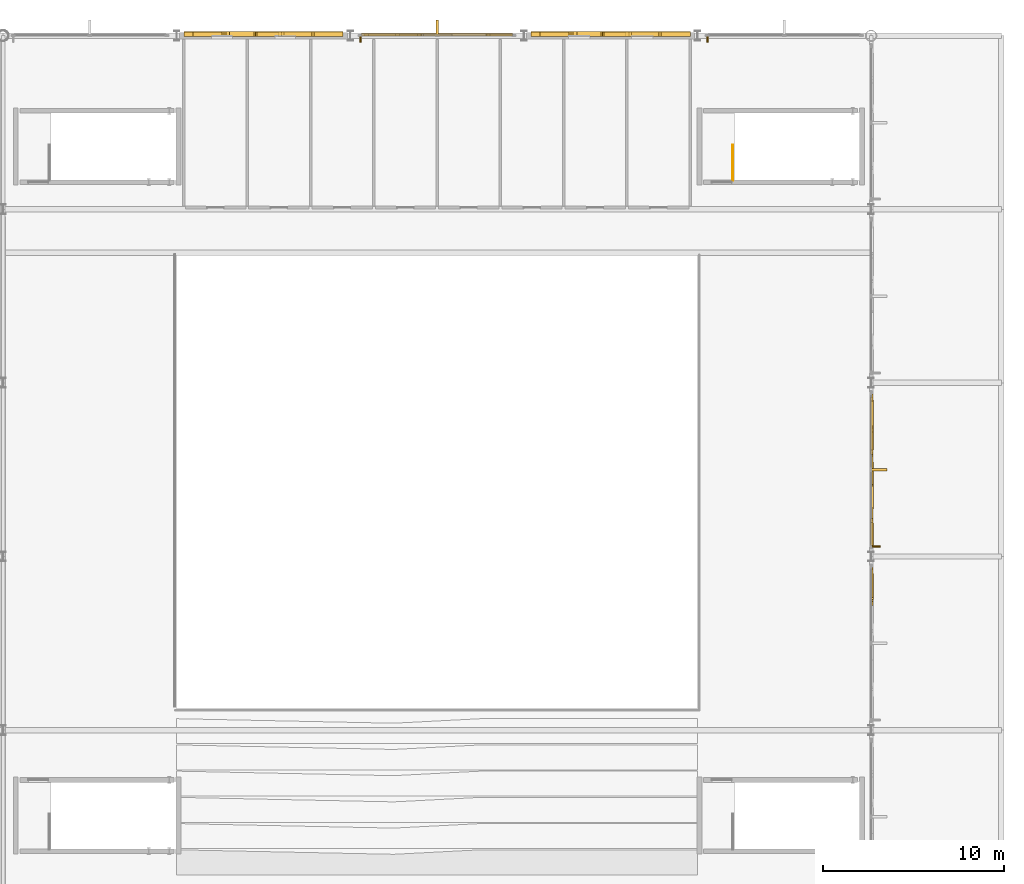
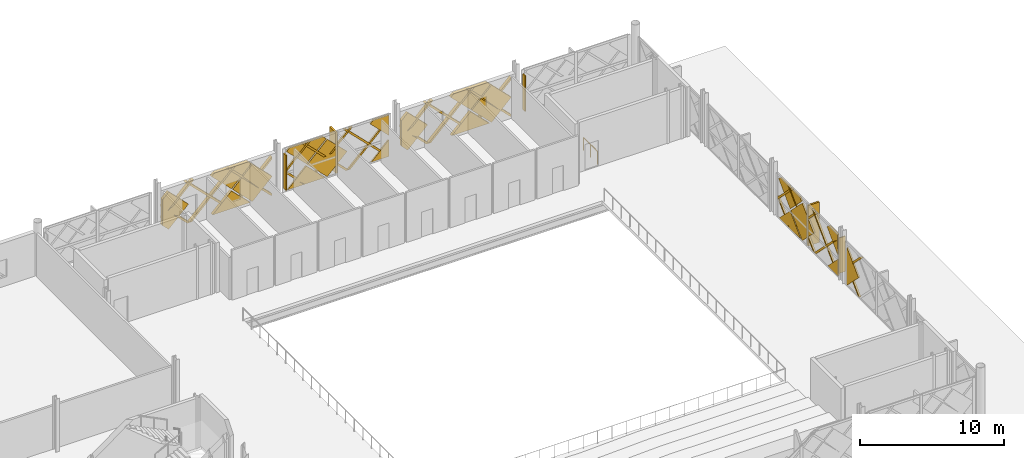
# One storey, part 100 of 101: 47 coverings, 3 shading devices, 1 railing.
"""IFC4 building model written with IfcOpenShell, lengths in metres."""

import ifcopenshell
import ifcopenshell.guid

model = None  # the IFC model being written
_history = None  # IfcOwnerHistory: only IFC2X3 demands one
_inside = {}  # id of a spatial element -> (the spatial element, [elements in it])
_under = {}  # id of a project, library or spatial element -> (it, [spatial elements below it])
_declared = {}  # id of a project -> (the project, [libraries it declares])
_typed = {}  # id of a type object -> (the type object, [elements of that type])
_made_of = {}  # id of a material, layer set ... -> (it, [elements and type objects made of it])


def new_model(schema):
    """Start an empty IFC model of exactly this schema.

    Asked for "IFC4X3", IfcOpenShell would pick the latest addendum, in which some entities
    have other attributes; the version numbers below select the first issue.
    IFC2X3 requires an IfcOwnerHistory on every rooted entity: one is made here for all.
    """
    global model, _history
    if schema == "IFC4X3":
        model = ifcopenshell.file(schema_version=(4, 3, 0, 0))
    else:
        model = ifcopenshell.file(schema=schema)
    _inside.clear()
    _under.clear()
    _declared.clear()
    _typed.clear()
    _made_of.clear()
    _history = None
    if model.schema == "IFC2X3":
        org = make("IfcOrganization", Name="unknown")
        user = make(
            "IfcPersonAndOrganization",
            ThePerson=make("IfcPerson", FamilyName="unknown"),
            TheOrganization=org,
        )
        app = make(
            "IfcApplication",
            ApplicationDeveloper=org,
            Version="unknown",
            ApplicationFullName="unknown",
            ApplicationIdentifier="unknown",
        )
        _history = make(
            "IfcOwnerHistory",
            OwningUser=user,
            OwningApplication=app,
            ChangeAction="ADDED",
            CreationDate=0,
        )
    return model


def make(cls, **values):
    """One entity of the class cls with the attributes given. An attribute that is None is left unset."""
    return model.create_entity(
        cls, **{name: value for name, value in values.items() if value is not None}
    )


def rooted(cls, **values):
    """An entity with a GlobalId (a new one), such as an element, a storey or a relation."""
    return make(cls, GlobalId=ifcopenshell.guid.new(), OwnerHistory=_history, **values)


def si_unit(unit_type, name, prefix=None):
    """IfcSIUnit, for example si_unit("LENGTHUNIT", "METRE", prefix="MILLI")."""
    return make("IfcSIUnit", UnitType=unit_type, Prefix=prefix, Name=name)


def assignment(units):
    """IfcUnitAssignment: the units of a project."""
    return None if units is None else make("IfcUnitAssignment", Units=units)


def point(xyz):
    """IfcCartesianPoint."""
    return None if xyz is None else make("IfcCartesianPoint", Coordinates=xyz)


def direction(xyz):
    """IfcDirection."""
    return None if xyz is None else make("IfcDirection", DirectionRatios=xyz)


def frame(location, z_axis=None, x_axis=None):
    """IfcAxis2Placement3D, a coordinate frame: its origin and axes. An axis left out is left unset."""
    return make(
        "IfcAxis2Placement3D",
        Location=point(location),
        Axis=direction(z_axis),
        RefDirection=direction(x_axis),
    )


def frame_2d(location, x_axis=None):
    """IfcAxis2Placement2D, a coordinate frame in the plane: its origin and x axis."""
    return make(
        "IfcAxis2Placement2D", Location=point(location), RefDirection=direction(x_axis)
    )


def origin():
    """The frame at (0, 0, 0) with its axes left unset."""
    return frame((0.0, 0.0, 0.0))


def origin_2d():
    """The frame at (0, 0) in the plane with its x axis left unset."""
    return frame_2d((0.0, 0.0))


def place(relative_to, where):
    """IfcLocalPlacement: puts the frame where relative to a parent placement (None: the world)."""
    return make(
        "IfcLocalPlacement", PlacementRelTo=relative_to, RelativePlacement=where
    )


def context(
    kind, dimensions, precision=None, world=None, true_north=None, identifier=None
):
    """IfcGeometricRepresentationContext, for example the 3D "Model" context."""
    return make(
        "IfcGeometricRepresentationContext",
        ContextIdentifier=identifier,
        ContextType=kind,
        CoordinateSpaceDimension=dimensions,
        Precision=precision,
        WorldCoordinateSystem=world,
        TrueNorth=true_north,
    )


def subcontext(parent, identifier, kind, view, scale=None):
    """IfcGeometricRepresentationSubContext, for example "Body" below "Model"."""
    return make(
        "IfcGeometricRepresentationSubContext",
        ContextIdentifier=identifier,
        ContextType=kind,
        ParentContext=parent,
        TargetScale=scale,
        TargetView=view,
    )


def project(units=None, contexts=None):
    """IfcProject with its units and contexts."""
    return rooted(
        "IfcProject",
        Name="project",
        RepresentationContexts=contexts,
        UnitsInContext=assignment(units),
    )


def spatial(cls, under=None, at=None, **own):
    """A site, building, storey or space (cls), placed at a placement, below another one or the project."""
    s = rooted(cls, ObjectPlacement=at, **own)
    if under is not None:
        _under.setdefault(under.id(), (under, []))[1].append(s)
    return s


def polyline(points):
    """IfcPolyline through the points."""
    return make("IfcPolyline", Points=[point(p) for p in points])


def profile(cls, at=None, kind="AREA", **sizes):
    """A parametric profile (cls). Its sizes go by their IFC names, for example OverallWidth=200.0."""
    return make(cls, ProfileType=kind, Position=at, **sizes)


def rectangle(**sizes):
    """IfcRectangleProfileDef."""
    return profile("IfcRectangleProfileDef", **sizes)


def circle(**sizes):
    """IfcCircleProfileDef."""
    return profile("IfcCircleProfileDef", **sizes)


def outline(outer, holes=None, kind="AREA"):
    """IfcArbitraryClosedProfileDef: a profile drawn as a closed curve; with holes, ...WithVoids."""
    if holes is None:
        return make("IfcArbitraryClosedProfileDef", ProfileType=kind, OuterCurve=outer)
    return make(
        "IfcArbitraryProfileDefWithVoids",
        ProfileType=kind,
        OuterCurve=outer,
        InnerCurves=holes,
    )


def extrude(swept, where, along, depth):
    """IfcExtrudedAreaSolid: the profile swept, set in the frame where, extruded along a direction by depth."""
    return make(
        "IfcExtrudedAreaSolid",
        SweptArea=swept,
        Position=where,
        ExtrudedDirection=direction(along),
        Depth=depth,
    )


def shape(context_of_items, identifier, shape_type, items):
    """IfcShapeRepresentation: the items that make up one representation, for example the "Body"."""
    return make(
        "IfcShapeRepresentation",
        ContextOfItems=context_of_items,
        RepresentationIdentifier=identifier,
        RepresentationType=shape_type,
        Items=items,
    )


def material(Name=None, Category=None):
    """IfcMaterial."""
    return make("IfcMaterial", Name=Name, Category=Category)


def layer(
    of_material, thickness, ventilated=None, Name=None, Category=None, Priority=None
):
    """IfcMaterialLayer: one layer of a wall or slab, of a material (None: an air gap)."""
    return make(
        "IfcMaterialLayer",
        Material=of_material,
        LayerThickness=thickness,
        IsVentilated=ventilated,
        Name=Name,
        Category=Category,
        Priority=Priority,
    )


def layer_set(layers, Name=None):
    """IfcMaterialLayerSet."""
    return make("IfcMaterialLayerSet", MaterialLayers=layers, LayerSetName=Name)


def made_of(thing, what):
    """Note that an element or type object is made of a material, layer set ...; save() writes the relation."""
    if what is not None:
        _made_of.setdefault(what.id(), (what, []))[1].append(thing)
    return thing


def type_object(cls, material=None, **own):
    """A type object (cls), such as IfcWallType, which elements share."""
    return made_of(rooted(cls, **own), material)


def element(
    cls,
    number,
    at=None,
    inside=None,
    cuts=None,
    type_object=None,
    material=None,
    context=None,
    identifier="Body",
    shape_type=None,
    held_by="IfcProductDefinitionShape",
    body=None,
    shapes=None,
    **own,
):
    """One element of the class cls, such as IfcWall. Its Tag is "e" and its number.

    at: its placement. inside: the storey or other place that contains it. cuts: it is an
    opening in that element (IfcRelVoidsElement). A single representation is given by context,
    identifier, shape_type and body (its items); several are given by shapes. held_by: the class
    of the entity that holds the representations. save() writes the other relations.
    """
    e = rooted(cls, Tag="e%d" % number, ObjectPlacement=at, **own)
    if body is not None:
        shapes = [shape(context, identifier, shape_type, body)]
    if shapes is not None:
        e.Representation = make(held_by, Representations=shapes)
    if inside is not None:
        _inside.setdefault(inside.id(), (inside, []))[1].append(e)
    if cuts is not None:
        rooted(
            "IfcRelVoidsElement", RelatingBuildingElement=cuts, RelatedOpeningElement=e
        )
    if type_object is not None:
        _typed.setdefault(type_object.id(), (type_object, []))[1].append(e)
    return made_of(e, material)


def aggregate(whole, parts):
    """IfcRelAggregates: a whole, such as a stair, and the parts it consists of."""
    return rooted("IfcRelAggregates", RelatingObject=whole, RelatedObjects=parts)


def save(model, path):
    """Write the relations noted so far, then the file.

    IfcRelAggregates (storeys below a building ...), IfcRelContainedInSpatialStructure (elements
    in a storey), IfcRelDefinesByType, IfcRelAssociatesMaterial and IfcRelDeclares: one each for
    every whole, place, type object, material and project.
    """
    for whole, parts in _under.values():
        aggregate(whole, parts)
    for where, things in _inside.values():
        rooted(
            "IfcRelContainedInSpatialStructure",
            RelatedElements=things,
            RelatingStructure=where,
        )
    for kind, things in _typed.values():
        rooted("IfcRelDefinesByType", RelatedObjects=things, RelatingType=kind)
    for what, things in _made_of.values():
        rooted("IfcRelAssociatesMaterial", RelatedObjects=things, RelatingMaterial=what)
    for by, libraries in _declared.values():
        rooted("IfcRelDeclares", RelatingContext=by, RelatedDefinitions=libraries)
    model.write(path)


model = new_model("IFC4")

# Units and contexts
model_context = context("Model", 3, precision=1e-05, world=origin(), true_north=direction((0.0, 1.0)))
body_context = subcontext(model_context, "Body", "Model", "MODEL_VIEW")
ifc_project = project(units=[si_unit("LENGTHUNIT", "METRE"), si_unit("AREAUNIT", "SQUARE_METRE"), si_unit("VOLUMEUNIT", "CUBIC_METRE"), si_unit("PLANEANGLEUNIT", "RADIAN"), si_unit("MASSUNIT", "GRAM", prefix="KILO")], contexts=[model_context])

# Site, building, storey
site_placement = place(None, origin())
site = spatial("IfcSite", under=ifc_project, at=site_placement, CompositionType="ELEMENT")
building_placement = place(site_placement, origin())
building = spatial("IfcBuilding", under=site, at=building_placement, Name="Zevrakil Square Congress Hotel", CompositionType="ELEMENT")
storey_placement = place(building_placement, frame((0.0, 0.0, 5.39990234375)))
storey = spatial("IfcBuildingStorey", under=building, at=storey_placement, Name="L02", CompositionType="ELEMENT", Elevation=5.39990234375)

# Coverings
ifc_material_1 = material(Name="Architectural White Fibre-C GRC", Category="concrete")
ifc_layer_1 = layer(ifc_material_1, 0.06494140625)
ifc_layer_set_1 = layer_set([ifc_layer_1], Name="Architectural White Fibre-C GRC")
covering_type_1 = type_object("IfcCoveringType", Name="COV-DIA-WHITE", PredefinedType="CLADDING", material=ifc_layer_set_1)
covering_1_placement = place(storey_placement, frame((133.139892578125, 112.9990234375, 1.590087890625), z_axis=(0.0, 0.999999790873, 0.000646725815), x_axis=(-0.707106707249, 0.000457304257, -0.707106707249)))
element("IfcCovering", 1, at=covering_1_placement, inside=storey, type_object=covering_type_1, Name="L02 45-degree white GRC diamond facade cassette 777", PredefinedType="CLADDING", context=body_context, shape_type="SweptSolid", body=[
    extrude(outline(polyline([(0.0, 0.0), (2.1354765131557993, 0.0), (4.465861884739297e-07, -2.1354765131557527), (0.0, 0.0)])), origin(), (0.0, 0.0, -1.0), 0.239990234375),
])
covering_2_placement = place(storey_placement, frame((134.820068359375, 112.998046875, 3.27001953125), z_axis=(0.0, 0.999999812555, 0.000612282237), x_axis=(-0.707161000838, 0.000432915721, -0.707052424844)))
element("IfcCovering", 2, at=covering_2_placement, inside=storey, type_object=covering_type_1, Name="L02 45-degree white GRC diamond facade cassette 778", PredefinedType="CLADDING", context=body_context, shape_type="SweptSolid", body=[
    extrude(outline(polyline([(0.0, 0.0), (2.2485514454845923, 0.0), (2.248379222880032, -2.2487240657380214), (0.013983748838055643, -2.248379882955194), (-0.0001711092764935529, -2.234222853853795), (0.0, 0.0)])), origin(), (0.0, 0.0, -1.0), 0.239990234375),
])
covering_3_placement = place(storey_placement, frame((128.10009765625, 113.0, 0.090087890625), z_axis=(-8.4612019e-05, 0.999999812462, 0.000606562075), x_axis=(0.707052419977, -0.000369112006, 0.707161041885)))
element("IfcCovering", 3, at=covering_3_placement, inside=storey, type_object=covering_type_1, Name="L02 45-degree white GRC diamond facade cassette 779", PredefinedType="CLADDING", context=body_context, shape_type="SweptSolid", body=[
    extrude(outline(polyline([(0.0, 0.0), (2.2485514407081038, 0.0), (2.248724493030647, -2.2483787953987875), (1.5416176719840167, -2.248433114590079), (5.449118448824786e-05, -0.7071069332764888), (0.0, 0.0)])), origin(), (0.0, 0.0, -1.0), 0.239990234375),
])
covering_4_placement = place(storey_placement, frame((131.550048828125, 112.998046875, 3.360107421875), z_axis=(0.0, 0.999999832177, 0.000579349913), x_axis=(0.707052455657, 0.000409693723, -0.707160983864)))
element("IfcCovering", 4, at=covering_4_placement, inside=storey, type_object=covering_type_1, Name="L02 45-degree white GRC diamond facade cassette 780", PredefinedType="CLADDING", context=body_context, shape_type="SweptSolid", body=[
    extrude(outline(polyline([(0.0, 0.0), (2.248551344782764, 0.0), (2.248378475326002, -2.248723964994087), (1.9020756214358738, -2.248697431251191), (-2.6675655659363917e-05, -0.34630285387922605), (0.0, 0.0)])), origin(), (0.0, 0.0, -1.0), 0.239990234375),
])
covering_5_placement = place(storey_placement, frame((144.3701171875, 112.89501953125, 0.080078125), z_axis=(0.0, 0.999999760125, 0.000692640526), x_axis=(1.0, 0.0, 0.0)))
element("IfcCovering", 5, at=covering_5_placement, inside=storey, type_object=covering_type_1, Name="L02 45-degree white GRC diamond facade cassette 801", PredefinedType="CLADDING", context=body_context, shape_type="SweptSolid", body=[
    extrude(outline(polyline([(0.0, 0.0), (1.409912109375, 0.0), (1.409912109375, -1.4099124475784228), (0.0, 0.0)])), origin(), (0.0, 0.0, -1.0), 0.1201171875),
])
covering_6_placement = place(storey_placement, frame((139.159912109375, 112.89404296875, 1.590087890625), z_axis=(0.0, 0.999999790873, 0.000646725815), x_axis=(-0.707106707249, 0.000457304257, -0.707106707249)))
element("IfcCovering", 6, at=covering_6_placement, inside=storey, type_object=covering_type_1, Name="L02 45-degree white GRC diamond facade cassette 802", PredefinedType="CLADDING", context=body_context, shape_type="SweptSolid", body=[
    extrude(outline(polyline([(0.0, 0.0), (2.1354765131557993, 0.0), (4.465861884739297e-07, -2.1354765131557527), (0.0, 0.0)])), origin(), (0.0, 0.0, -1.0), 0.1201171875),
])
covering_7_placement = place(storey_placement, frame((140.840087890625, 112.89306640625, 3.27001953125), z_axis=(0.0, 0.999999811377, 0.000614203339), x_axis=(-0.707161000837, 0.000434274042, -0.707052424012)))
element("IfcCovering", 7, at=covering_7_placement, inside=storey, type_object=covering_type_1, Name="L02 45-degree white GRC diamond facade cassette 803", PredefinedType="CLADDING", context=body_context, shape_type="SweptSolid", body=[
    extrude(outline(polyline([(0.0, 0.0), (2.2485514454867683, 0.0), (2.2483792228863573, -2.248724065739994), (-0.0001721960923970478, -2.248378798790573), (0.0, 0.0)])), origin(), (0.0, 0.0, -1.0), 0.1201171875),
])
covering_8_placement = place(storey_placement, frame((144.2900390625, 112.89306640625, 3.360107421875), z_axis=(6.3815884e-05, 0.999999812703, 0.000608705356), x_axis=(0.707106741381, 0.000385295076, -0.707106716021)))
element("IfcCovering", 8, at=covering_8_placement, inside=storey, type_object=covering_type_1, Name="L02 45-degree white GRC diamond facade cassette 804", PredefinedType="CLADDING", context=body_context, shape_type="SweptSolid", body=[
    extrude(outline(polyline([(0.0, 0.0), (2.1071645230484313, 0.0), (0.8804306692339328, -1.2267337135237), (-8.785623831220057e-08, -0.3463028608930553), (0.0, 0.0)])), origin(), (0.0, 0.0, -1.0), 0.1201171875),
])
covering_9_placement = place(storey_placement, frame((137.570068359375, 112.89306640625, 3.360107421875), z_axis=(0.0, 0.999999832179, 0.000579346068), x_axis=(0.707052455657, 0.000409691004, -0.707160983866)))
element("IfcCovering", 9, at=covering_9_placement, inside=storey, type_object=covering_type_1, Name="L02 45-degree white GRC diamond facade cassette 805", PredefinedType="CLADDING", context=body_context, shape_type="SweptSolid", body=[
    extrude(outline(polyline([(0.0, 0.0), (2.2485513447832775, -2.220446049250313e-16), (2.248378475325489, -2.2487239649946003), (1.901903001207207, -2.248524784497797), (-2.6675655460328684e-05, -0.346302853878948), (0.0, 0.0)])), origin(), (0.0, 0.0, -1.0), 0.1201171875),
])
covering_10_placement = place(storey_placement, frame((152.340087890625, 112.9990234375, 1.590087890625), z_axis=(0.0, 0.999999790873, 0.000646725815), x_axis=(-0.707106707249, 0.000457304257, -0.707106707249)))
element("IfcCovering", 10, at=covering_10_placement, inside=storey, type_object=covering_type_1, Name="L02 45-degree white GRC diamond facade cassette 826", PredefinedType="CLADDING", context=body_context, shape_type="SweptSolid", body=[
    extrude(outline(polyline([(0.0, 0.0), (2.1354765131557993, 0.0), (4.465861884739297e-07, -2.1354765131557527), (0.0, 0.0)])), origin(), (0.0, 0.0, -1.0), 0.239990234375),
])
covering_11_placement = place(storey_placement, frame((154.02001953125, 112.998046875, 3.27001953125), z_axis=(0.0, 0.999999812555, 0.000612282088), x_axis=(-0.707161000838, 0.000432915616, -0.707052424844)))
element("IfcCovering", 11, at=covering_11_placement, inside=storey, type_object=covering_type_1, Name="L02 45-degree white GRC diamond facade cassette 827", PredefinedType="CLADDING", context=body_context, shape_type="SweptSolid", body=[
    extrude(outline(polyline([(0.0, 0.0), (2.248551445484592, 0.0), (2.2483792228800303, -2.2487240657380205), (0.013811102109335449, -2.2485525032084603), (-0.000343756005215079, -2.2343954741070595), (0.0, 0.0)])), origin(), (0.0, 0.0, -1.0), 0.239990234375),
])
covering_12_placement = place(storey_placement, frame((147.300048828125, 113.0, 0.090087890625), z_axis=(-8.4612019e-05, 0.999999812462, 0.000606562075), x_axis=(0.707052419977, -0.000369112006, 0.707161041885)))
element("IfcCovering", 12, at=covering_12_placement, inside=storey, type_object=covering_type_1, Name="L02 45-degree white GRC diamond facade cassette 828", PredefinedType="CLADDING", context=body_context, shape_type="SweptSolid", body=[
    extrude(outline(polyline([(0.0, 0.0), (2.2485514407081038, 0.0), (2.248724493030647, -2.2483787953987875), (1.5416176719840167, -2.248433114590079), (5.449118448824786e-05, -0.7071069332764888), (0.0, 0.0)])), origin(), (0.0, 0.0, -1.0), 0.239990234375),
])
covering_13_placement = place(storey_placement, frame((150.75, 112.998046875, 3.360107421875), z_axis=(0.0, 0.999999832179, 0.000579346068), x_axis=(0.707106746172, 0.000409659554, -0.707106697534)))
element("IfcCovering", 13, at=covering_13_placement, inside=storey, type_object=covering_type_1, Name="L02 45-degree white GRC diamond facade cassette 829", PredefinedType="CLADDING", context=body_context, shape_type="SweptSolid", body=[
    extrude(outline(polyline([(0.0, 0.0), (2.2487239716392238, 0.0), (2.2485511154520332, -2.2485513381391633), (1.9022482605456785, -2.2485513919470725), (0.00017254537865349362, -0.34647548840639664), (0.0, 0.0)])), origin(), (0.0, 0.0, -1.0), 0.239990234375),
])
covering_14_placement = place(storey_placement, frame((165.69482421875, 83.320068359375, 0.090087890625), z_axis=(0.999999852651, 7.1453825e-05, 0.000538137651), x_axis=(-0.000329995328, -0.707106743993, 0.707106741378)))
element("IfcCovering", 14, at=covering_14_placement, inside=storey, type_object=covering_type_1, Name="L02 45-degree white GRC diamond facade cassette 918", PredefinedType="CLADDING", context=body_context, shape_type="SweptSolid", body=[
    extrude(outline(polyline([(0.0, 0.0), (2.248723979543348, 2.220446049250313e-16), (2.2485516641645265, -2.2485514388720227), (2.1639612579350396, -2.2485514507480224), (0.00017263332536615605, -0.084763036428044), (0.0, 0.0)])), origin(), (0.0, 0.0, -1.0), 0.1201171875),
])
covering_15_placement = place(storey_placement, frame((165.695068359375, 86.030029296875, 0.080078125), z_axis=(0.999999760125, 0.0, 0.000692640526), x_axis=(0.0, -1.0, 0.0)))
element("IfcCovering", 15, at=covering_15_placement, inside=storey, type_object=covering_type_1, Name="L02 45-degree white GRC diamond facade cassette 948", PredefinedType="CLADDING", context=body_context, shape_type="SweptSolid", body=[
    extrude(outline(polyline([(0.0, 0.0), (1.409912109375, 0.0), (1.409912109375, -1.4099124475784228), (0.0, 0.0)])), origin(), (0.0, 0.0, -1.0), 0.1201171875),
])
covering_16_placement = place(storey_placement, frame((165.694091796875, 91.239990234375, 1.590087890625), z_axis=(0.999999790873, 0.0, 0.000646725815), x_axis=(0.000457304257, 0.707106707249, -0.707106707249)))
element("IfcCovering", 16, at=covering_16_placement, inside=storey, type_object=covering_type_1, Name="L02 45-degree white GRC diamond facade cassette 949", PredefinedType="CLADDING", context=body_context, shape_type="SweptSolid", body=[
    extrude(outline(polyline([(0.0, 0.0), (2.1354765131557993, 0.0), (4.465861884739297e-07, -2.1354765131557527), (0.0, 0.0)])), origin(), (0.0, 0.0, -1.0), 0.1201171875),
])
covering_17_placement = place(storey_placement, frame((165.693115234375, 89.56005859375, 3.27001953125), z_axis=(0.999999855586, 0.0, 0.000537427945), x_axis=(0.00038001898, 0.707106715531, -0.707106744725)))
element("IfcCovering", 17, at=covering_17_placement, inside=storey, type_object=covering_type_1, Name="L02 45-degree white GRC diamond facade cassette 950", PredefinedType="CLADDING", context=body_context, shape_type="SweptSolid", body=[
    extrude(outline(polyline([(0.0, 0.0), (2.2483788020672284, 0.0), (2.248551760297992, -2.2485513427396766), (-0.00017221594923522154, -2.2485514355747194), (0.0, 0.0)])), origin(), (0.0, 0.0, -1.0), 0.1201171875),
])
covering_18_placement = place(storey_placement, frame((165.693115234375, 86.110107421875, 3.360107421875), z_axis=(0.999999808822, -6.6855783e-05, 0.000614723742), x_axis=(0.000387401185, -0.707106741694, -0.707106714557)))
element("IfcCovering", 18, at=covering_18_placement, inside=storey, type_object=covering_type_1, Name="L02 45-degree white GRC diamond facade cassette 951", PredefinedType="CLADDING", context=body_context, shape_type="SweptSolid", body=[
    extrude(outline(polyline([(0.0, 0.0), (2.1071645228764107, 0.0), (0.8873360085541673, -1.2198283755846069), (-8.820028063460938e-08, -0.332492183678786), (0.0, 0.0)])), origin(), (0.0, 0.0, -1.0), 0.1201171875),
])
covering_19_placement = place(storey_placement, frame((165.693115234375, 92.830078125, 3.360107421875), z_axis=(0.999999828985, 0.0, 0.000584833987), x_axis=(0.000413540099, -0.707106746408, -0.707106695039)))
element("IfcCovering", 19, at=covering_19_placement, inside=storey, type_object=covering_type_1, Name="L02 45-degree white GRC diamond facade cassette 952", PredefinedType="CLADDING", context=body_context, shape_type="SweptSolid", body=[
    extrude(outline(polyline([(0.0, 0.0), (2.2487239708896865, -2.220446049250313e-16), (2.2487237496845225, -2.248723970889676), (1.9162315725230248, -2.248724027067478), (-8.88847899171985e-08, -0.33249217716149015), (0.0, 0.0)])), origin(), (0.0, 0.0, -1.0), 0.1201171875),
])
ifc_material_2 = material(Name="Anodised Champagne Aluminium", Category="aluminium")
ifc_layer_2 = layer(ifc_material_2, 0.0849609375)
ifc_layer_set_2 = layer_set([ifc_layer_2], Name="Anodised Champagne Aluminium")
covering_type_2 = type_object("IfcCoveringType", Name="COV-DIAGRID-45", PredefinedType="MOLDING", material=ifc_layer_set_2)
covering_20_placement = place(storey_placement, frame((136.31396484375, 113.02490234375, 0.080078125), z_axis=(-0.000187315855, 0.999999884444, 0.000442746567), x_axis=(0.999999982456, 0.000187315837, 8.2933e-08)))
element("IfcCovering", 20, at=covering_20_placement, inside=storey, type_object=covering_type_2, Name="L02 45-degree aluminium diagrid rib 781", PredefinedType="MOLDING", context=body_context, shape_type="SweptSolid", body=[
    extrude(outline(polyline([(0.0, 0.0), (0.08593749849234558, 2.274746684520826e-24), (0.08593750896026438, -0.12622069075382242), (-3.312744201757818, -3.5249029710981508), (-3.525146541781513, -3.5249029710981508), (0.0, 0.0)])), origin(), (0.0, 0.0, -1.0), 0.264892578125),
])
covering_21_placement = place(storey_placement, frame((132.953857421875, 113.02490234375, 0.080078125), z_axis=(0.0, 0.999999805714, 0.000623354914), x_axis=(1.0, 0.0, 0.0)))
element("IfcCovering", 21, at=covering_21_placement, inside=storey, type_object=covering_type_2, Name="L02 45-degree aluminium diagrid rib 782", PredefinedType="MOLDING", context=body_context, shape_type="SweptSolid", body=[
    extrude(outline(polyline([(0.0, 0.0), (0.212158203125, 0.0), (-3.312744140625, -3.5249030285882292), (-3.52490234375, -3.5249030285882292), (0.0, 0.0)])), origin(), (0.0, 0.0, -1.0), 0.264892578125),
])
covering_22_placement = place(storey_placement, frame((129.593994140625, 113.02490234375, 0.080078125), z_axis=(-0.000290646956, 0.999999915524, 0.000290646956), x_axis=(0.999999957762, 0.000290646943, 8.4476e-08)))
element("IfcCovering", 22, at=covering_22_placement, inside=storey, type_object=covering_type_2, Name="L02 45-degree aluminium diagrid rib 783", PredefinedType="MOLDING", context=body_context, shape_type="SweptSolid", body=[
    extrude(outline(polyline([(0.0, 0.0), (0.21215819416389847, -2.8078904387053947e-24), (-1.9938965685928591, -2.2060549491146975), (-1.9938965865150626, -1.9938967549507998), (0.0, 0.0)])), origin(), (0.0, 0.0, -1.0), 0.264892578125),
])
covering_23_placement = place(storey_placement, frame((136.39990234375, 113.023193359375, 3.154052734375), z_axis=(-0.000287488092, 0.999999586067, 0.000863259418), x_axis=(-8.2649e-08, -0.000863259477, 0.999999627391)))
element("IfcCovering", 23, at=covering_23_placement, inside=storey, type_object=covering_type_2, Name="L02 45-degree aluminium diagrid rib 784", PredefinedType="MOLDING", context=body_context, shape_type="SweptSolid", body=[
    extrude(outline(polyline([(0.0, 0.0), (0.212158334829751, 1.3234889800848443e-23), (-3.0739746677062127, -3.2858890617254115), (-3.073974685240951, -3.0737308673677872), (0.0, 0.0)])), origin(), (0.0, 0.0, -1.0), 0.264892578125),
])
covering_24_placement = place(storey_placement, frame((133.4912109375, 113.022705078125, 3.60498046875), z_axis=(0.0, 0.999999805714, 0.000623354914), x_axis=(-1.0, 0.0, 0.0)))
element("IfcCovering", 24, at=covering_24_placement, inside=storey, type_object=covering_type_2, Name="L02 45-degree aluminium diagrid rib 785", PredefinedType="MOLDING", context=body_context, shape_type="SweptSolid", body=[
    extrude(outline(polyline([(0.0, 0.0), (0.21240234375, 0.0), (3.7373046875, -3.524903028588229), (3.525146484375, -3.524903028588229), (0.0, 0.0)])), origin(), (0.0, 0.0, -1.0), 0.264892578125),
])
covering_25_placement = place(storey_placement, frame((130.131103515625, 113.022705078125, 3.60498046875), z_axis=(-0.000248165226, 0.99999956188, 0.000902582256), x_axis=(-0.999999969207, -0.000248165125, -2.2399e-07)))
element("IfcCovering", 25, at=covering_25_placement, inside=storey, type_object=covering_type_2, Name="L02 45-degree aluminium diagrid rib 786", PredefinedType="MOLDING", context=body_context, shape_type="SweptSolid", body=[
    extrude(outline(polyline([(0.0, 0.0), (0.21215819659201454, 0.0), (2.531005937312241, -2.318848033861662), (2.53100592424627, -2.5310063709258004), (0.0, 0.0)])), origin(), (0.0, 0.0, -1.0), 0.264892578125),
])
covering_26_placement = place(storey_placement, frame((145.69384765625, 112.919921875, 0.080078125), z_axis=(-0.000187311957, 0.999999884449, 0.000442737353), x_axis=(0.999999982457, 0.000187311939, 8.293e-08)))
element("IfcCovering", 26, at=covering_26_placement, inside=storey, type_object=covering_type_2, Name="L02 45-degree aluminium diagrid rib 806", PredefinedType="MOLDING", context=body_context, shape_type="SweptSolid", body=[
    extrude(outline(polyline([(0.0, 0.0), (0.0861816391131254, 2.2812090330563966e-24), (0.08618164958060848, -0.12622069075433734), (-3.312744201763839, -3.524902971092284), (-3.5249024011669716, -3.524902971092284), (0.0, 0.0)])), origin(), (0.0, 0.0, -1.0), 0.14501953125),
])
covering_27_placement = place(storey_placement, frame((142.333984375, 112.919921875, 0.080078125), z_axis=(0.0, 0.999999805714, 0.000623354914), x_axis=(1.0, 0.0, 0.0)))
element("IfcCovering", 27, at=covering_27_placement, inside=storey, type_object=covering_type_2, Name="L02 45-degree aluminium diagrid rib 807", PredefinedType="MOLDING", context=body_context, shape_type="SweptSolid", body=[
    extrude(outline(polyline([(0.0, 0.0), (0.212158203125, 0.0), (-3.31298828125, -3.5249030285882292), (-3.525146484375, -3.5249030285882292), (0.0, 0.0)])), origin(), (0.0, 0.0, -1.0), 0.14501953125),
])
covering_28_placement = place(storey_placement, frame((138.973876953125, 112.919921875, 0.080078125), z_axis=(-0.000294139249, 0.999999913482, 0.000294139249), x_axis=(0.999999956741, 0.000294139237, 8.6518e-08)))
element("IfcCovering", 28, at=covering_28_placement, inside=storey, type_object=covering_type_2, Name="L02 45-degree aluminium diagrid rib 808", PredefinedType="MOLDING", context=body_context, shape_type="SweptSolid", body=[
    extrude(outline(polyline([(0.0, 0.0), (0.2121581939472589, 0.0), (-1.553955145347468, -1.7661134920951609), (-1.5539551637029505, -1.5539552981479028), (0.0, 0.0)])), origin(), (0.0, 0.0, -1.0), 0.14501953125),
])
covering_29_placement = place(storey_placement, frame((145.780029296875, 112.918212890625, 3.154052734375), z_axis=(-0.000287477056, 0.99999958606, 0.000863270454), x_axis=(-8.2643e-08, -0.000863270513, 0.999999627382)))
element("IfcCovering", 29, at=covering_29_placement, inside=storey, type_object=covering_type_2, Name="L02 45-degree aluminium diagrid rib 809", PredefinedType="MOLDING", context=body_context, shape_type="SweptSolid", body=[
    extrude(outline(polyline([(0.0, 0.0), (0.21215833483042407, 1.3234889800848443e-23), (-3.0739746676964605, -3.286133202330571), (-3.073974685229852, -3.0739750079722734), (0.0, 0.0)])), origin(), (0.0, 0.0, -1.0), 0.14501953125),
])
covering_30_placement = place(storey_placement, frame((142.87109375, 112.917724609375, 3.60498046875), z_axis=(0.0, 0.999999805714, 0.000623354914), x_axis=(-1.0, 0.0, 0.0)))
element("IfcCovering", 30, at=covering_30_placement, inside=storey, type_object=covering_type_2, Name="L02 45-degree aluminium diagrid rib 810", PredefinedType="MOLDING", context=body_context, shape_type="SweptSolid", body=[
    extrude(outline(polyline([(0.0, 0.0), (0.212158203125, 0.0), (3.7373046875, -3.524903028588229), (3.52490234375, -3.524903028588229), (0.0, 0.0)])), origin(), (0.0, 0.0, -1.0), 0.14501953125),
])
covering_31_placement = place(storey_placement, frame((139.510986328125, 112.917724609375, 3.60498046875), z_axis=(-0.000236587851, 0.999999555129, 0.000913108865), x_axis=(-0.999999972013, -0.000236587752, -2.1603e-07)))
element("IfcCovering", 31, at=covering_31_placement, inside=storey, type_object=covering_type_2, Name="L02 45-degree aluminium diagrid rib 811", PredefinedType="MOLDING", context=body_context, shape_type="SweptSolid", body=[
    extrude(outline(polyline([(0.0, 0.0), (0.21215819718734832, -5.6157808774107894e-24), (2.091064511647426, -1.878662440825683), (2.091064499772122, -2.0910649189555177), (0.0, 0.0)])), origin(), (0.0, 0.0, -1.0), 0.14501953125),
])
covering_32_placement = place(storey_placement, frame((155.513916015625, 113.02490234375, 0.080078125), z_axis=(-0.000187311957, 0.999999884449, 0.000442737353), x_axis=(0.999999982457, 0.000187311939, 8.293e-08)))
element("IfcCovering", 32, at=covering_32_placement, inside=storey, type_object=covering_type_2, Name="L02 45-degree aluminium diagrid rib 830", PredefinedType="MOLDING", context=body_context, shape_type="SweptSolid", body=[
    extrude(outline(polyline([(0.0, 0.0), (0.0861816391131254, 2.2812090330563966e-24), (0.08618164958060848, -0.12622069075433734), (-3.312744201763839, -3.524902971092284), (-3.5249024011669716, -3.524902971092284), (0.0, 0.0)])), origin(), (0.0, 0.0, -1.0), 0.264892578125),
])
covering_33_placement = place(storey_placement, frame((152.15380859375, 113.02490234375, 0.080078125), z_axis=(0.0, 0.999999805714, 0.000623354914), x_axis=(1.0, 0.0, 0.0)))
element("IfcCovering", 33, at=covering_33_placement, inside=storey, type_object=covering_type_2, Name="L02 45-degree aluminium diagrid rib 831", PredefinedType="MOLDING", context=body_context, shape_type="SweptSolid", body=[
    extrude(outline(polyline([(0.0, 0.0), (0.21240234375, 0.0), (-3.312744140625, -3.524903028588229), (-3.52490234375, -3.524903028588229), (0.0, 0.0)])), origin(), (0.0, 0.0, -1.0), 0.264892578125),
])
covering_34_placement = place(storey_placement, frame((148.7939453125, 113.02490234375, 0.080078125), z_axis=(-0.000290646956, 0.999999915524, 0.000290646956), x_axis=(0.999999957762, 0.000290646943, 8.4476e-08)))
element("IfcCovering", 34, at=covering_34_placement, inside=storey, type_object=covering_type_2, Name="L02 45-degree aluminium diagrid rib 832", PredefinedType="MOLDING", context=body_context, shape_type="SweptSolid", body=[
    extrude(outline(polyline([(0.0, 0.0), (0.21215819416389847, -2.8078904387053947e-24), (-1.9938965685928591, -2.2060549491146975), (-1.9938965865150626, -1.9938967549507998), (0.0, 0.0)])), origin(), (0.0, 0.0, -1.0), 0.264892578125),
])
covering_35_placement = place(storey_placement, frame((155.60009765625, 113.023193359375, 3.154052734375), z_axis=(-0.000287477056, 0.99999958606, 0.000863270454), x_axis=(-8.2643e-08, -0.000863270513, 0.999999627382)))
element("IfcCovering", 35, at=covering_35_placement, inside=storey, type_object=covering_type_2, Name="L02 45-degree aluminium diagrid rib 833", PredefinedType="MOLDING", context=body_context, shape_type="SweptSolid", body=[
    extrude(outline(polyline([(0.0, 0.0), (0.21215833483042407, 1.3234889800848443e-23), (-3.0739746676964605, -3.286133202330571), (-3.073974685229852, -3.0739750079722734), (0.0, 0.0)])), origin(), (0.0, 0.0, -1.0), 0.264892578125),
])
covering_36_placement = place(storey_placement, frame((152.691162109375, 113.022705078125, 3.60498046875), z_axis=(0.0, 0.999999805714, 0.000623354914), x_axis=(-1.0, 0.0, 0.0)))
element("IfcCovering", 36, at=covering_36_placement, inside=storey, type_object=covering_type_2, Name="L02 45-degree aluminium diagrid rib 834", PredefinedType="MOLDING", context=body_context, shape_type="SweptSolid", body=[
    extrude(outline(polyline([(0.0, 0.0), (0.212158203125, 0.0), (3.7373046875, -3.5249030285882292), (3.525146484375, -3.5249030285882292), (0.0, 0.0)])), origin(), (0.0, 0.0, -1.0), 0.264892578125),
])
covering_37_placement = place(storey_placement, frame((149.3310546875, 113.022705078125, 3.60498046875), z_axis=(-0.000248165226, 0.99999956188, 0.000902582256), x_axis=(-0.999999969207, -0.000248165125, -2.2399e-07)))
element("IfcCovering", 37, at=covering_37_placement, inside=storey, type_object=covering_type_2, Name="L02 45-degree aluminium diagrid rib 835", PredefinedType="MOLDING", context=body_context, shape_type="SweptSolid", body=[
    extrude(outline(polyline([(0.0, 0.0), (0.21215819659201454, 0.0), (2.531005937312241, -2.318848033861662), (2.53100592424627, -2.5310063709258004), (0.0, 0.0)])), origin(), (0.0, 0.0, -1.0), 0.264892578125),
])
covering_38_placement = place(storey_placement, frame((165.719970703125, 81.826171875, 0.080078125), z_axis=(0.999999913469, 0.000294160881, 0.000294160881), x_axis=(0.000294160868, -0.999999956735, 8.6531e-08)))
element("IfcCovering", 38, at=covering_38_placement, inside=storey, type_object=covering_type_2, Name="L02 45-degree aluminium diagrid rib 922", PredefinedType="MOLDING", context=body_context, shape_type="SweptSolid", body=[
    extrude(outline(polyline([(0.0, 0.0), (0.21215819394590898, 2.8078904387053947e-24), (-1.5537110047217924, -1.7661134921050472), (-1.5537110230799749, -1.5539552981591391), (0.0, 0.0)])), origin(), (0.0, 0.0, -1.0), 0.14501953125),
])
covering_39_placement = place(storey_placement, frame((165.7177734375, 81.298828125, 3.59521484375), z_axis=(0.999999904499, -0.000309210719, 0.000308855304), x_axis=(0.000309210704, 0.999999952194, 9.5501e-08)))
element("IfcCovering", 39, at=covering_39_placement, inside=storey, type_object=covering_type_2, Name="L02 45-degree aluminium diagrid rib 925", PredefinedType="MOLDING", context=body_context, shape_type="SweptSolid", body=[
    extrude(outline(polyline([(0.0, 0.0), (0.21215819298264227, 0.0), (2.0810547869861464, -1.8688967722571304), (2.0810547667014307, -2.08129910587643), (0.0, 0.0)])), origin(), (0.0, 0.0, -1.0), 0.14501953125),
])
covering_40_placement = place(storey_placement, frame((165.719970703125, 84.7060546875, 0.080078125), z_axis=(0.999999883789, 0.000187845785, 0.000443999129), x_axis=(0.000187845767, -0.999999982357, 8.3403e-08)))
element("IfcCovering", 40, at=covering_40_placement, inside=storey, type_object=covering_type_2, Name="L02 45-degree aluminium diagrid rib 953", PredefinedType="MOLDING", context=body_context, shape_type="SweptSolid", body=[
    extrude(outline(polyline([(0.0, 0.0), (0.085937498483803, 1.137373342260413e-24), (0.08593750901103456, -0.1262206906837255), (-3.302734436302602, -3.515137347855374), (-3.5151367763051833, -3.515137347855374), (0.0, 0.0)])), origin(), (0.0, 0.0, -1.0), 0.14501953125),
])
covering_41_placement = place(storey_placement, frame((165.719970703125, 88.066162109375, 0.080078125), z_axis=(0.999999804633, 0.0, 0.000625086695), x_axis=(0.0, -1.0, 0.0)))
element("IfcCovering", 41, at=covering_41_placement, inside=storey, type_object=covering_type_2, Name="L02 45-degree aluminium diagrid rib 954", PredefinedType="MOLDING", context=body_context, shape_type="SweptSolid", body=[
    extrude(outline(polyline([(0.0, 0.0), (0.212158203125, 0.0), (-3.302734375, -3.5151374054908215), (-3.514892578125, -3.5151374054908215), (0.0, 0.0)])), origin(), (0.0, 0.0, -1.0), 0.14501953125),
])
covering_42_placement = place(storey_placement, frame((165.719970703125, 91.426025390625, 0.080078125), z_axis=(0.999999913482, 0.000294139249, 0.000294139249), x_axis=(0.000294139237, -0.999999956741, 8.6518e-08)))
element("IfcCovering", 42, at=covering_42_placement, inside=storey, type_object=covering_type_2, Name="L02 45-degree aluminium diagrid rib 955", PredefinedType="MOLDING", context=body_context, shape_type="SweptSolid", body=[
    extrude(outline(polyline([(0.0, 0.0), (0.2121581939472589, 0.0), (-1.553955145347468, -1.7661134920951609), (-1.5539551637029505, -1.5539552981479028), (0.0, 0.0)])), origin(), (0.0, 0.0, -1.0), 0.14501953125),
])
covering_43_placement = place(storey_placement, frame((165.718017578125, 84.6201171875, 3.154052734375), z_axis=(0.999999905689, -0.000307101698, 0.000307101698), x_axis=(-0.000307101684, 9.4311e-08, 0.999999952844)))
element("IfcCovering", 43, at=covering_43_placement, inside=storey, type_object=covering_type_2, Name="L02 45-degree aluminium diagrid rib 956", PredefinedType="MOLDING", context=body_context, shape_type="SweptSolid", body=[
    extrude(outline(polyline([(0.0, 0.0), (0.21215819312052556, 2.8078904387053947e-24), (-3.073974754330517, -3.285889116734547), (-3.073974774339466, -3.0737309236140224), (0.0, 0.0)])), origin(), (0.0, 0.0, -1.0), 0.14501953125),
])
covering_44_placement = place(storey_placement, frame((165.7177734375, 87.538818359375, 3.59521484375), z_axis=(0.999999804633, 0.0, 0.000625086695), x_axis=(0.0, 1.0, 0.0)))
element("IfcCovering", 44, at=covering_44_placement, inside=storey, type_object=covering_type_2, Name="L02 45-degree aluminium diagrid rib 957", PredefinedType="MOLDING", context=body_context, shape_type="SweptSolid", body=[
    extrude(outline(polyline([(0.0, 0.0), (0.21240234375, 0.0), (3.727294921875, -3.515137405490821), (3.51513671875, -3.515137405490821), (0.0, 0.0)])), origin(), (0.0, 0.0, -1.0), 0.14501953125),
])
covering_45_placement = place(storey_placement, frame((165.7177734375, 90.89892578125, 3.59521484375), z_axis=(0.999999904499, -0.000309210719, 0.000308855304), x_axis=(0.000309210704, 0.999999952194, 9.5501e-08)))
element("IfcCovering", 45, at=covering_45_placement, inside=storey, type_object=covering_type_2, Name="L02 45-degree aluminium diagrid rib 958", PredefinedType="MOLDING", context=body_context, shape_type="SweptSolid", body=[
    extrude(outline(polyline([(0.0, 0.0), (0.21215819298264227, 0.0), (2.0810547869861464, -1.8688967722571304), (2.0810547667014307, -2.08129910587643), (0.0, 0.0)])), origin(), (0.0, 0.0, -1.0), 0.14501953125),
])
ifc_material_3 = material(Name="Architectural White Fibre-C GRC", Category="concrete")
ifc_layer_3 = layer(ifc_material_3, 0.139892578125)
ifc_layer_set_3 = layer_set([ifc_layer_3], Name="Architectural White Fibre-C GRC")
covering_type_3 = type_object("IfcCoveringType", Name="COV-FIN-GRC90", PredefinedType="MOLDING", material=ifc_layer_set_3)
covering_46_placement = place(storey_placement, frame((141.60009765625, 113.219970703125, 0.1201171875), z_axis=(0.0, 0.0, 1.0), x_axis=(0.0, 1.0, 0.0)))
element("IfcCovering", 46, at=covering_46_placement, inside=storey, type_object=covering_type_3, Name="L02 highland sun-breaker GRC fin 812", PredefinedType="MOLDING", context=body_context, shape_type="SweptSolid", body=[
    extrude(rectangle(XDim=0.89990234375, YDim=0.139892578125, at=origin_2d()), origin(), (0.0, 0.0, 1.0), 3.445068359375),
])
covering_47_placement = place(storey_placement, frame((166.02001953125, 88.800048828125, 0.1201171875), z_axis=(0.0, 0.0, 1.0), x_axis=(1.0, 0.0, 0.0)))
element("IfcCovering", 47, at=covering_47_placement, inside=storey, type_object=covering_type_3, Name="L02 highland sun-breaker GRC fin 959", PredefinedType="MOLDING", context=body_context, shape_type="SweptSolid", body=[
    extrude(rectangle(XDim=0.89990234375, YDim=0.139892578125, at=origin_2d()), origin(), (0.0, 0.0, 1.0), 3.43505859375),
])

# Railing
ifc_material_4 = material(Name="Steel S355", Category="steel")
railing_type = type_object("IfcRailingType", Name="RLG-STAIR-GUARD-1100", PredefinedType="BALUSTRADE", material=ifc_material_4)
railing_placement = place(storey_placement, frame((157.949951171875, 104.800048828125, 0.0)))
element("IfcRailing", 48, at=railing_placement, inside=storey, type_object=railing_type, Name="L02 ST10 top well guard 1", PredefinedType="BALUSTRADE", context=body_context, shape_type="SweptSolid", body=[
    extrude(circle(Radius=0.02392578125, at=origin_2d()), frame((0.0, 0.0, 1.076171875), z_axis=(0.0, 1.0, 0.0), x_axis=(-1.0, 0.0, 0.0)), (0.0, 0.0, 1.0), 1.949951171875),
    extrude(circle(Radius=0.02099609375, at=origin_2d()), origin(), (0.0, 0.0, 1.0), 1.052001953125),
    extrude(circle(Radius=0.02099609375, at=origin_2d()), frame((0.0, 0.97509765625, 0.0)), (0.0, 0.0, 1.0), 1.052001953125),
    extrude(circle(Radius=0.02099609375, at=origin_2d()), frame((0.0, 1.949951171875, 0.0)), (0.0, 0.0, 1.0), 1.052001953125),
])

# Shading devices
ifc_material_5 = material(Name="Aluminium Anodised Bronze", Category="aluminium")
shading_device_type_1 = type_object("IfcShadingDeviceType", Name="SHD-FIN-35", PredefinedType="JALOUSIE", material=ifc_material_5)
for number, where, z_axis, x_axis, name in (
    (49, (137.360107421875, 112.60498046875, 0.342529296875), (0.0, 0.0, 1.0), (0.0, -1.0, 0.0), "L02 aluminium solar shading fin 47"),
    (50, (156.56005859375, 112.60498046875, 0.342529296875), (0.0, 0.0, 1.0), (0.0, -1.0, 0.0), "L02 aluminium solar shading fin 49"),
):
    element("IfcShadingDevice", number, at=place(storey_placement, frame(where, z_axis=z_axis, x_axis=x_axis)), inside=storey, type_object=shading_device_type_1, Name=name, PredefinedType="JALOUSIE", context=body_context, shape_type="SweptSolid", body=[
        extrude(rectangle(XDim=0.35009765625, YDim=0.080078125, at=origin_2d()), origin(), (0.0, 0.0, 1.0), 3.0),
    ])
ifc_material_6 = material(Name="Aluminium Anodised Bronze", Category="aluminium")
shading_device_type_2 = type_object("IfcShadingDeviceType", Name="SHD-FIN-50", PredefinedType="JALOUSIE", material=ifc_material_6)
shading_device_placement = place(storey_placement, frame((165.8701171875, 84.56005859375, 0.337646484375), z_axis=(0.0, 0.0, 1.0), x_axis=(1.0, 0.0, 0.0)))
element("IfcShadingDevice", 51, at=shading_device_placement, inside=storey, type_object=shading_device_type_2, Name="L02 aluminium solar shading fin 53", PredefinedType="JALOUSIE", context=body_context, shape_type="SweptSolid", body=[
    extrude(rectangle(XDim=0.5, YDim=0.080078125, at=origin_2d()), origin(), (0.0, 0.0, 1.0), 3.0),
])

save(model, "model.ifc")
